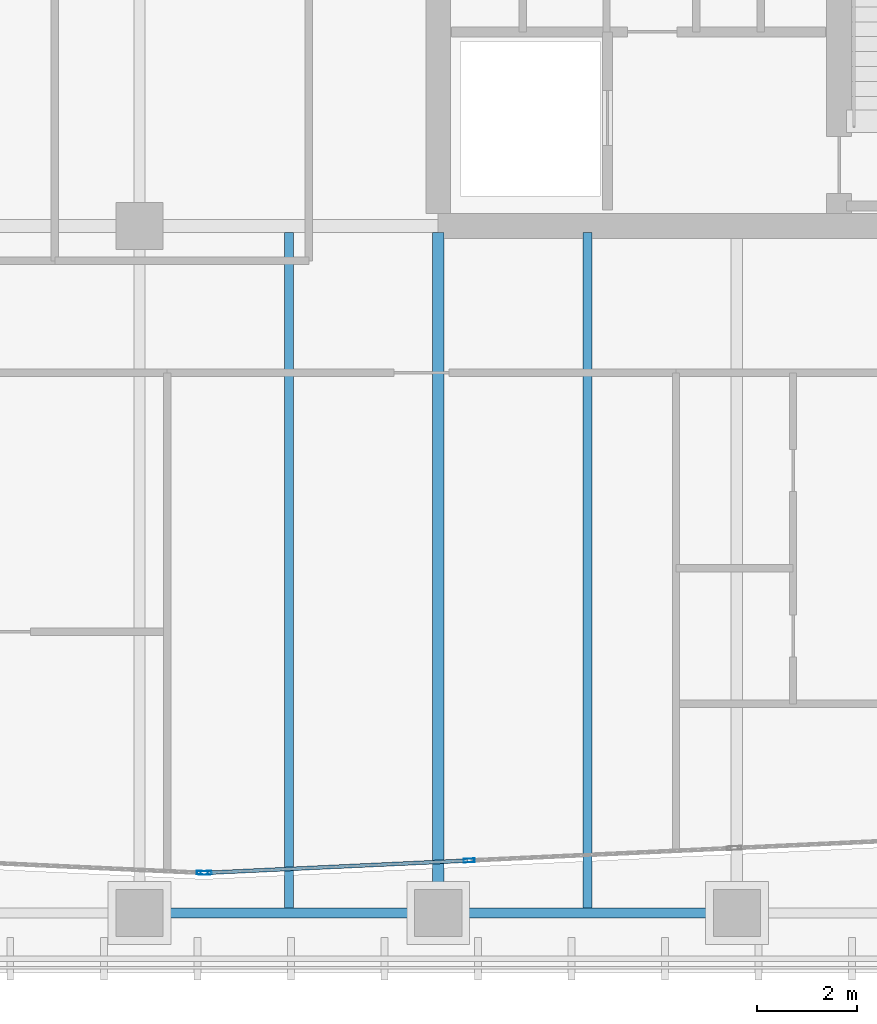
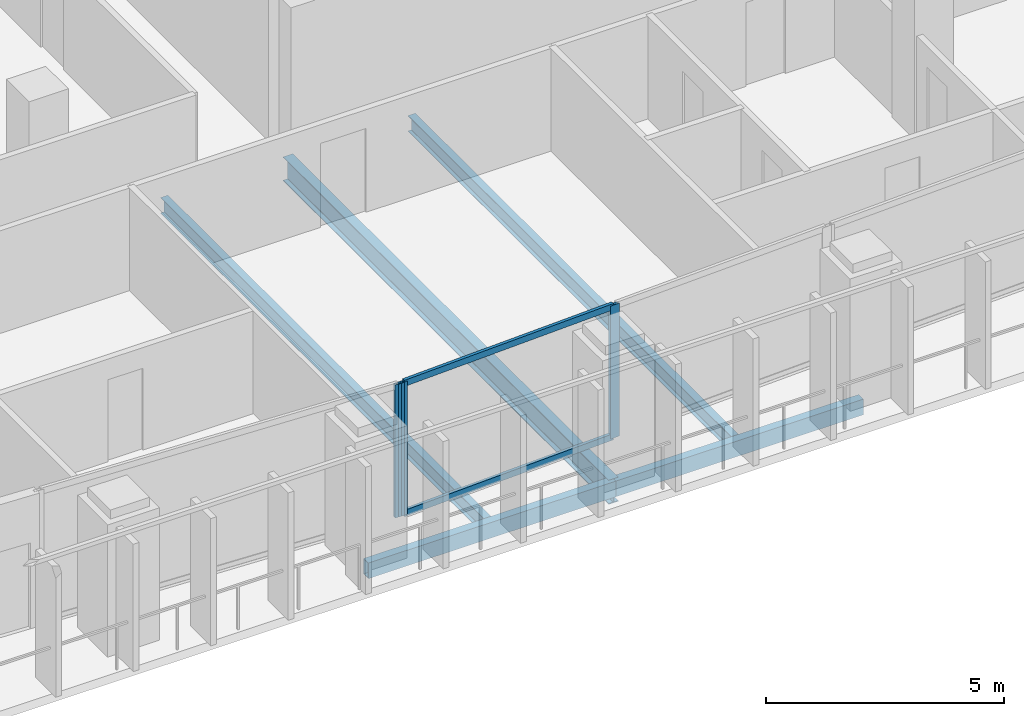
# One storey, part 9 of 39: 5 beams, 5 members, 2 elements without a shape of their own.
"""IFC4 building model written with IfcOpenShell, lengths in metres."""

from ifc_helpers import new_model, si_unit, direction, frame, origin, origin_2d, place, context, subcontext, project, spatial, hollow_rectangle, i_section, extrude, material, layer, layer_set, material_profile, profile_set, type_object, element, aggregate, save


model = new_model("IFC4")

# Units and contexts
model_context = context("Model", 3, precision=1e-05, world=origin(), true_north=direction((0.0, 1.0)))
body_context = subcontext(model_context, "Body", "Model", "MODEL_VIEW")
ifc_project = project(units=[si_unit("LENGTHUNIT", "METRE"), si_unit("AREAUNIT", "SQUARE_METRE"), si_unit("VOLUMEUNIT", "CUBIC_METRE"), si_unit("PLANEANGLEUNIT", "RADIAN"), si_unit("MASSUNIT", "GRAM", prefix="KILO")], contexts=[model_context])

# Site, building, storey
site_placement = place(None, origin())
site = spatial("IfcSite", under=ifc_project, at=site_placement, CompositionType="ELEMENT")
building_placement = place(site_placement, origin())
building = spatial("IfcBuilding", under=site, at=building_placement, Name="Tanjung Sevakor Pilgrim Tower", CompositionType="ELEMENT")
storey_placement = place(building_placement, frame((0.0, 0.0, 108.570068359375)))
storey = spatial("IfcBuildingStorey", under=building, at=storey_placement, Name="L30", CompositionType="ELEMENT", Elevation=108.570068359375)

# Beams
ifc_material_1 = material(Name="Steel S355J2", Category="steel")
ifc_material_profile_1 = material_profile(ifc_material_1, i_section(OverallWidth=0.230224609375, OverallDepth=0.6171875, WebThickness=0.01318359375, FlangeThickness=0.022216796875, FilletRadius=0.0126953125, at=origin_2d()))
ifc_profile_set_1 = profile_set([ifc_material_profile_1], Name="Steel S355J2")
beam_type_1 = type_object("IfcBeamType", Name="BM-B-G3-UB_610x229x140", PredefinedType="BEAM", material=ifc_profile_set_1)
beam_placement = place(storey_placement, frame((78.0, 10.800048828125, -0.528564453125), z_axis=(0.0, 1.0, 0.0), x_axis=(-1.0, 0.0, 0.0)))
element("IfcBeam", 1, at=beam_placement, inside=storey, type_object=beam_type_1, Name="L30 MAIN Girder 037", PredefinedType="BEAM", context=body_context, shape_type="SweptSolid", body=[
    extrude(i_section(OverallWidth=0.230224609375, OverallDepth=0.6171875, WebThickness=0.01318359375, FlangeThickness=0.022216796875, FilletRadius=0.0126953125, at=origin_2d()), origin(), (0.0, 0.0, 1.0), 13.672607421875),
])
ifc_material_2 = material(Name="Steel S355J2", Category="steel")
ifc_material_profile_2 = material_profile(ifc_material_2, i_section(OverallWidth=0.1787109375, OverallDepth=0.409423828125, WebThickness=0.0087890625, FlangeThickness=0.014404296875, FilletRadius=0.01025390625, at=origin_2d()))
ifc_profile_set_2 = profile_set([ifc_material_profile_2], Name="Steel S355J2")
beam_type_2 = type_object("IfcBeamType", Name="BM-B-J3-UB_406x178x67", PredefinedType="JOIST", material=ifc_profile_set_2)
for number, where, z_axis, x_axis, name in (
    (2, (75.0, 10.89990234375, -0.4248046875), (0.0, 1.0, 0.0), (-1.0, 0.0, 0.0), "L30 MAIN Joist 035"),
    (3, (81.0, 10.89990234375, -0.4248046875), (0.0, 1.0, 0.0), (-1.0, 0.0, 0.0), "L30 MAIN Joist 039"),
):
    element("IfcBeam", number, at=place(storey_placement, frame(where, z_axis=z_axis, x_axis=x_axis)), inside=storey, type_object=beam_type_2, Name=name, PredefinedType="JOIST", context=body_context, shape_type="SweptSolid", body=[
        extrude(i_section(OverallWidth=0.1787109375, OverallDepth=0.409423828125, WebThickness=0.0087890625, FlangeThickness=0.014404296875, FilletRadius=0.01025390625, at=origin_2d()), origin(), (0.0, 0.0, 1.0), 13.57275390625),
    ])
ifc_material_3 = material(Name="Steel S355J2", Category="steel")
ifc_material_profile_3 = material_profile(ifc_material_3, hollow_rectangle(XDim=0.199951171875, YDim=0.39990234375, WallThickness=0.01611328125, at=origin_2d()))
ifc_profile_set_3 = profile_set([ifc_material_profile_3], Name="Steel S355J2")
beam_type_3 = type_object("IfcBeamType", Name="BM-B-SP2-RHS_400x200x16", PredefinedType="SPANDREL", material=ifc_profile_set_3)
for number, where, z_axis, x_axis, name in (
    (4, (72.0, 10.800048828125, -0.420166015625), (1.0, 0.0, 0.0), (0.0, 1.0, 0.0), "L30 Spandrel MAIN S-13"),
    (5, (78.0, 10.800048828125, -0.420166015625), (1.0, 0.0, 0.0), (0.0, 1.0, 0.0), "L30 Spandrel MAIN S-15"),
):
    element("IfcBeam", number, at=place(storey_placement, frame(where, z_axis=z_axis, x_axis=x_axis)), inside=storey, type_object=beam_type_3, Name=name, PredefinedType="SPANDREL", context=body_context, shape_type="SweptSolid", body=[
        extrude(hollow_rectangle(XDim=0.199951171875, YDim=0.39990234375, WallThickness=0.01611328125, at=origin_2d()), origin(), (0.0, 0.0, 1.0), 6.0),
    ])

# Curtain wall, member
ifc_material_4 = material(Name="Aluminium 6063-T6 and Low-E Glass", Category="aluminium")
ifc_layer = layer(ifc_material_4, 0.199951171875)
ifc_layer_set = layer_set([ifc_layer], Name="CW-SYS-PRAY")
curtain_wall_type = type_object("IfcCurtainWallType", Name="CW-SYS-PRAY", PredefinedType="NOTDEFINED", material=ifc_layer_set)
curtain_wall_1_placement = place(storey_placement, origin())
curtain_wall_1 = element("IfcCurtainWall", 6, at=curtain_wall_1_placement, inside=storey, type_object=curtain_wall_type, Name="L30 Curtain Wall CW-PRY-L30-10B", PredefinedType="NOTDEFINED")
ifc_material_5 = material(Name="Aluminium 6063-T6", Category="aluminium")
ifc_material_profile_4 = material_profile(ifc_material_5, hollow_rectangle(XDim=0.074951171875, YDim=0.219970703125, WallThickness=0.0048828125, at=origin_2d()))
ifc_profile_set_4 = profile_set([ifc_material_profile_4], Name="Aluminium 6063-T6")
member_type_1 = type_object("IfcMemberType", Name="TYPE-CWM-2", PredefinedType="MULLION", material=ifc_profile_set_4)
member_1_placement = place(storey_placement, frame((73.262451171875, 11.60693359375, 0.0), z_axis=(0.0, 0.0, 1.0), x_axis=(0.046906293141, 0.998899294055, 0.0)))
member_1 = element("IfcMember", 7, at=member_1_placement, type_object=member_type_1, Name="CW-PRY mullion 2", PredefinedType="MULLION", context=body_context, shape_type="SweptSolid", body=[
    extrude(hollow_rectangle(XDim=0.074951171875, YDim=0.219970703125, WallThickness=0.0048828125, at=origin_2d()), origin(), (0.0, 0.0, 1.0), 3.409912109375),
])
aggregate(curtain_wall_1, [member_1])

# Curtain wall, members
curtain_wall_2_placement = place(storey_placement, origin())
curtain_wall_2 = element("IfcCurtainWall", 8, at=curtain_wall_2_placement, inside=storey, type_object=curtain_wall_type, Name="L30 Curtain Wall CW-PRY-L30-11", PredefinedType="NOTDEFINED")
member_2_placement = place(storey_placement, frame((73.33740234375, 11.60693359375, 0.0), z_axis=(0.0, 0.0, 1.0), x_axis=(-0.046903911367, 0.998899405896, 0.0)))
member_2 = element("IfcMember", 9, at=member_2_placement, type_object=member_type_1, Name="CW-PRY mullion 1", PredefinedType="MULLION", context=body_context, shape_type="SweptSolid", body=[
    extrude(hollow_rectangle(XDim=0.074951171875, YDim=0.219970703125, WallThickness=0.0048828125, at=origin_2d()), origin(), (0.0, 0.0, 1.0), 3.409912109375),
])
member_3_placement = place(storey_placement, frame((78.6220703125, 11.85498046875, 0.0), z_axis=(0.0, 0.0, 1.0), x_axis=(-0.046903911367, 0.998899405896, 0.0)))
member_3 = element("IfcMember", 10, at=member_3_placement, type_object=member_type_1, Name="CW-PRY mullion 2", PredefinedType="MULLION", context=body_context, shape_type="SweptSolid", body=[
    extrude(hollow_rectangle(XDim=0.074951171875, YDim=0.219970703125, WallThickness=0.0048828125, at=origin_2d()), origin(), (0.0, 0.0, 1.0), 3.409912109375),
])
ifc_material_6 = material(Name="Aluminium 6063-T6", Category="aluminium")
ifc_material_profile_5 = material_profile(ifc_material_6, hollow_rectangle(XDim=0.074951171875, YDim=0.159912109375, WallThickness=0.00439453125, at=origin_2d()))
ifc_profile_set_5 = profile_set([ifc_material_profile_5], Name="Aluminium 6063-T6")
member_type_2 = type_object("IfcMemberType", Name="TYPE-CWT-2", PredefinedType="USERDEFINED", material=ifc_profile_set_5)
member_4_placement = place(storey_placement, frame((73.375, 11.608642578125, 0.037353515625), z_axis=(0.998899270758, 0.046906789263, 0.0), x_axis=(-0.046906789263, 0.998899270758, 0.0)))
member_4 = element("IfcMember", 11, at=member_4_placement, type_object=member_type_2, Name="CW-PRY transom 1.1", ObjectType="TRANSOM", PredefinedType="USERDEFINED", context=body_context, shape_type="SweptSolid", body=[
    extrude(hollow_rectangle(XDim=0.074951171875, YDim=0.159912109375, WallThickness=0.00439453125, at=origin_2d()), origin(), (0.0, 0.0, 1.0), 5.21533203125),
])
member_5_placement = place(storey_placement, frame((73.375, 11.608642578125, 3.372314453125), z_axis=(0.998899270758, 0.046906789263, 0.0), x_axis=(-0.046906789263, 0.998899270758, 0.0)))
member_5 = element("IfcMember", 12, at=member_5_placement, type_object=member_type_2, Name="CW-PRY transom 1.2", ObjectType="TRANSOM", PredefinedType="USERDEFINED", context=body_context, shape_type="SweptSolid", body=[
    extrude(hollow_rectangle(XDim=0.074951171875, YDim=0.159912109375, WallThickness=0.00439453125, at=origin_2d()), origin(), (0.0, 0.0, 1.0), 5.21533203125),
])
aggregate(curtain_wall_2, [member_2, member_3, member_4, member_5])

save(model, "model.ifc")
